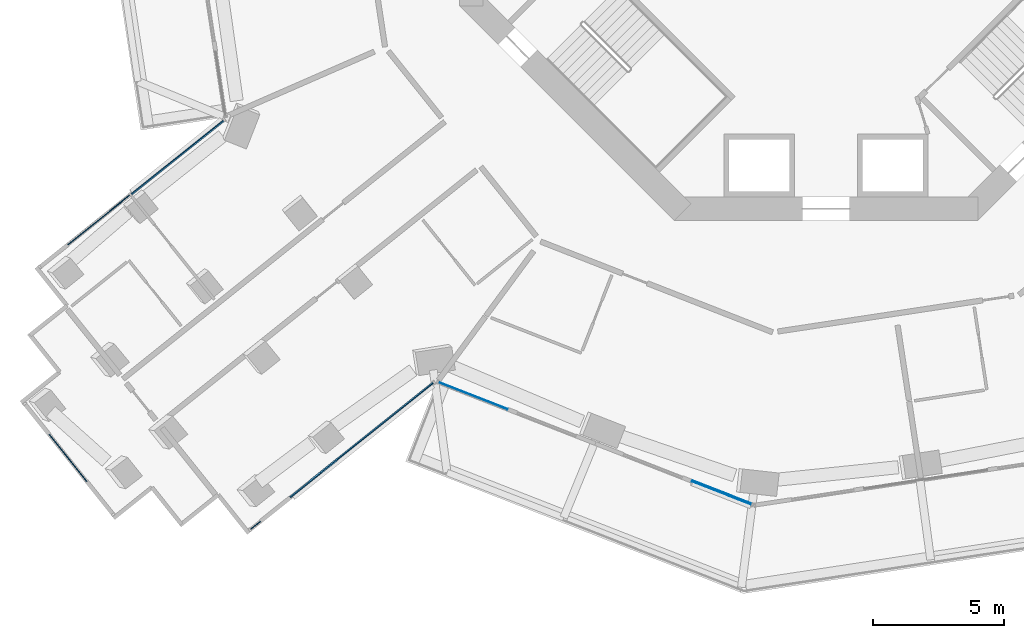
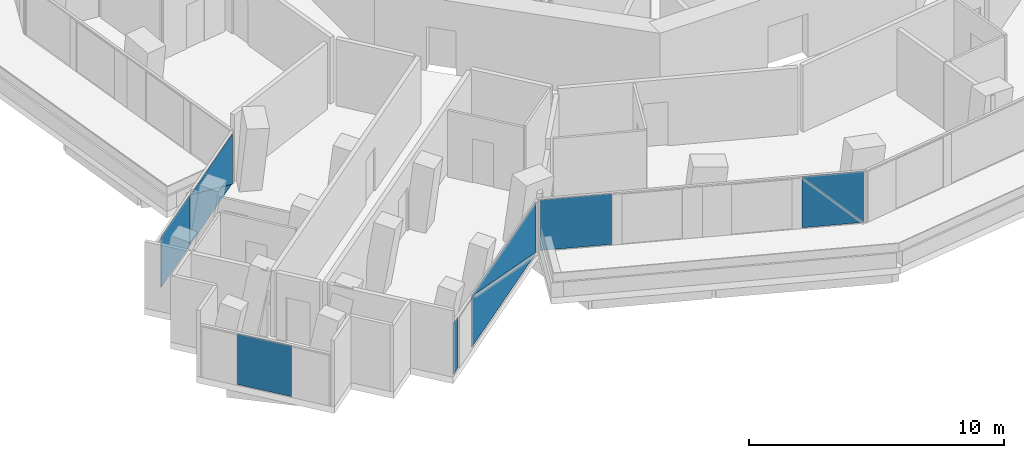
# One storey, part 13 of 28: 10 plates, 4 elements without a shape of their own.
"""IFC4 building model written with IfcOpenShell, lengths in metres."""

import ifcopenshell
import ifcopenshell.guid

model = None  # the IFC model being written
_history = None  # IfcOwnerHistory: only IFC2X3 demands one
_inside = {}  # id of a spatial element -> (the spatial element, [elements in it])
_under = {}  # id of a project, library or spatial element -> (it, [spatial elements below it])
_declared = {}  # id of a project -> (the project, [libraries it declares])
_typed = {}  # id of a type object -> (the type object, [elements of that type])
_made_of = {}  # id of a material, layer set ... -> (it, [elements and type objects made of it])


def new_model(schema):
    """Start an empty IFC model of exactly this schema.

    Asked for "IFC4X3", IfcOpenShell would pick the latest addendum, in which some entities
    have other attributes; the version numbers below select the first issue.
    IFC2X3 requires an IfcOwnerHistory on every rooted entity: one is made here for all.
    """
    global model, _history
    if schema == "IFC4X3":
        model = ifcopenshell.file(schema_version=(4, 3, 0, 0))
    else:
        model = ifcopenshell.file(schema=schema)
    _inside.clear()
    _under.clear()
    _declared.clear()
    _typed.clear()
    _made_of.clear()
    _history = None
    if model.schema == "IFC2X3":
        org = make("IfcOrganization", Name="unknown")
        user = make(
            "IfcPersonAndOrganization",
            ThePerson=make("IfcPerson", FamilyName="unknown"),
            TheOrganization=org,
        )
        app = make(
            "IfcApplication",
            ApplicationDeveloper=org,
            Version="unknown",
            ApplicationFullName="unknown",
            ApplicationIdentifier="unknown",
        )
        _history = make(
            "IfcOwnerHistory",
            OwningUser=user,
            OwningApplication=app,
            ChangeAction="ADDED",
            CreationDate=0,
        )
    return model


def make(cls, **values):
    """One entity of the class cls with the attributes given. An attribute that is None is left unset."""
    return model.create_entity(
        cls, **{name: value for name, value in values.items() if value is not None}
    )


def rooted(cls, **values):
    """An entity with a GlobalId (a new one), such as an element, a storey or a relation."""
    return make(cls, GlobalId=ifcopenshell.guid.new(), OwnerHistory=_history, **values)


def si_unit(unit_type, name, prefix=None):
    """IfcSIUnit, for example si_unit("LENGTHUNIT", "METRE", prefix="MILLI")."""
    return make("IfcSIUnit", UnitType=unit_type, Prefix=prefix, Name=name)


def assignment(units):
    """IfcUnitAssignment: the units of a project."""
    return None if units is None else make("IfcUnitAssignment", Units=units)


def point(xyz):
    """IfcCartesianPoint."""
    return None if xyz is None else make("IfcCartesianPoint", Coordinates=xyz)


def direction(xyz):
    """IfcDirection."""
    return None if xyz is None else make("IfcDirection", DirectionRatios=xyz)


def frame(location, z_axis=None, x_axis=None):
    """IfcAxis2Placement3D, a coordinate frame: its origin and axes. An axis left out is left unset."""
    return make(
        "IfcAxis2Placement3D",
        Location=point(location),
        Axis=direction(z_axis),
        RefDirection=direction(x_axis),
    )


def frame_2d(location, x_axis=None):
    """IfcAxis2Placement2D, a coordinate frame in the plane: its origin and x axis."""
    return make(
        "IfcAxis2Placement2D", Location=point(location), RefDirection=direction(x_axis)
    )


def origin():
    """The frame at (0, 0, 0) with its axes left unset."""
    return frame((0.0, 0.0, 0.0))


def origin_2d():
    """The frame at (0, 0) in the plane with its x axis left unset."""
    return frame_2d((0.0, 0.0))


def place(relative_to, where):
    """IfcLocalPlacement: puts the frame where relative to a parent placement (None: the world)."""
    return make(
        "IfcLocalPlacement", PlacementRelTo=relative_to, RelativePlacement=where
    )


def context(
    kind, dimensions, precision=None, world=None, true_north=None, identifier=None
):
    """IfcGeometricRepresentationContext, for example the 3D "Model" context."""
    return make(
        "IfcGeometricRepresentationContext",
        ContextIdentifier=identifier,
        ContextType=kind,
        CoordinateSpaceDimension=dimensions,
        Precision=precision,
        WorldCoordinateSystem=world,
        TrueNorth=true_north,
    )


def subcontext(parent, identifier, kind, view, scale=None):
    """IfcGeometricRepresentationSubContext, for example "Body" below "Model"."""
    return make(
        "IfcGeometricRepresentationSubContext",
        ContextIdentifier=identifier,
        ContextType=kind,
        ParentContext=parent,
        TargetScale=scale,
        TargetView=view,
    )


def project(units=None, contexts=None):
    """IfcProject with its units and contexts."""
    return rooted(
        "IfcProject",
        Name="project",
        RepresentationContexts=contexts,
        UnitsInContext=assignment(units),
    )


def spatial(cls, under=None, at=None, **own):
    """A site, building, storey or space (cls), placed at a placement, below another one or the project."""
    s = rooted(cls, ObjectPlacement=at, **own)
    if under is not None:
        _under.setdefault(under.id(), (under, []))[1].append(s)
    return s


def polyline(points):
    """IfcPolyline through the points."""
    return make("IfcPolyline", Points=[point(p) for p in points])


def profile(cls, at=None, kind="AREA", **sizes):
    """A parametric profile (cls). Its sizes go by their IFC names, for example OverallWidth=200.0."""
    return make(cls, ProfileType=kind, Position=at, **sizes)


def rectangle(**sizes):
    """IfcRectangleProfileDef."""
    return profile("IfcRectangleProfileDef", **sizes)


def outline(outer, holes=None, kind="AREA"):
    """IfcArbitraryClosedProfileDef: a profile drawn as a closed curve; with holes, ...WithVoids."""
    if holes is None:
        return make("IfcArbitraryClosedProfileDef", ProfileType=kind, OuterCurve=outer)
    return make(
        "IfcArbitraryProfileDefWithVoids",
        ProfileType=kind,
        OuterCurve=outer,
        InnerCurves=holes,
    )


def extrude(swept, where, along, depth):
    """IfcExtrudedAreaSolid: the profile swept, set in the frame where, extruded along a direction by depth."""
    return make(
        "IfcExtrudedAreaSolid",
        SweptArea=swept,
        Position=where,
        ExtrudedDirection=direction(along),
        Depth=depth,
    )


def shape(context_of_items, identifier, shape_type, items):
    """IfcShapeRepresentation: the items that make up one representation, for example the "Body"."""
    return make(
        "IfcShapeRepresentation",
        ContextOfItems=context_of_items,
        RepresentationIdentifier=identifier,
        RepresentationType=shape_type,
        Items=items,
    )


def material(Name=None, Category=None):
    """IfcMaterial."""
    return make("IfcMaterial", Name=Name, Category=Category)


def layer(
    of_material, thickness, ventilated=None, Name=None, Category=None, Priority=None
):
    """IfcMaterialLayer: one layer of a wall or slab, of a material (None: an air gap)."""
    return make(
        "IfcMaterialLayer",
        Material=of_material,
        LayerThickness=thickness,
        IsVentilated=ventilated,
        Name=Name,
        Category=Category,
        Priority=Priority,
    )


def layer_set(layers, Name=None):
    """IfcMaterialLayerSet."""
    return make("IfcMaterialLayerSet", MaterialLayers=layers, LayerSetName=Name)


def made_of(thing, what):
    """Note that an element or type object is made of a material, layer set ...; save() writes the relation."""
    if what is not None:
        _made_of.setdefault(what.id(), (what, []))[1].append(thing)
    return thing


def type_object(cls, material=None, **own):
    """A type object (cls), such as IfcWallType, which elements share."""
    return made_of(rooted(cls, **own), material)


def element(
    cls,
    number,
    at=None,
    inside=None,
    cuts=None,
    type_object=None,
    material=None,
    context=None,
    identifier="Body",
    shape_type=None,
    held_by="IfcProductDefinitionShape",
    body=None,
    shapes=None,
    **own,
):
    """One element of the class cls, such as IfcWall. Its Tag is "e" and its number.

    at: its placement. inside: the storey or other place that contains it. cuts: it is an
    opening in that element (IfcRelVoidsElement). A single representation is given by context,
    identifier, shape_type and body (its items); several are given by shapes. held_by: the class
    of the entity that holds the representations. save() writes the other relations.
    """
    e = rooted(cls, Tag="e%d" % number, ObjectPlacement=at, **own)
    if body is not None:
        shapes = [shape(context, identifier, shape_type, body)]
    if shapes is not None:
        e.Representation = make(held_by, Representations=shapes)
    if inside is not None:
        _inside.setdefault(inside.id(), (inside, []))[1].append(e)
    if cuts is not None:
        rooted(
            "IfcRelVoidsElement", RelatingBuildingElement=cuts, RelatedOpeningElement=e
        )
    if type_object is not None:
        _typed.setdefault(type_object.id(), (type_object, []))[1].append(e)
    return made_of(e, material)


def aggregate(whole, parts):
    """IfcRelAggregates: a whole, such as a stair, and the parts it consists of."""
    return rooted("IfcRelAggregates", RelatingObject=whole, RelatedObjects=parts)


def save(model, path):
    """Write the relations noted so far, then the file.

    IfcRelAggregates (storeys below a building ...), IfcRelContainedInSpatialStructure (elements
    in a storey), IfcRelDefinesByType, IfcRelAssociatesMaterial and IfcRelDeclares: one each for
    every whole, place, type object, material and project.
    """
    for whole, parts in _under.values():
        aggregate(whole, parts)
    for where, things in _inside.values():
        rooted(
            "IfcRelContainedInSpatialStructure",
            RelatedElements=things,
            RelatingStructure=where,
        )
    for kind, things in _typed.values():
        rooted("IfcRelDefinesByType", RelatedObjects=things, RelatingType=kind)
    for what, things in _made_of.values():
        rooted("IfcRelAssociatesMaterial", RelatedObjects=things, RelatingMaterial=what)
    for by, libraries in _declared.values():
        rooted("IfcRelDeclares", RelatingContext=by, RelatedDefinitions=libraries)
    model.write(path)


model = new_model("IFC4")

# Units and contexts
model_context = context("Model", 3, precision=1e-05, world=origin(), true_north=direction((0.0, 1.0)))
body_context = subcontext(model_context, "Body", "Model", "MODEL_VIEW")
ifc_project = project(units=[si_unit("LENGTHUNIT", "METRE"), si_unit("AREAUNIT", "SQUARE_METRE"), si_unit("VOLUMEUNIT", "CUBIC_METRE"), si_unit("PLANEANGLEUNIT", "RADIAN"), si_unit("MASSUNIT", "GRAM", prefix="KILO")], contexts=[model_context])

# Site, building, storey
site_placement = place(None, origin())
site = spatial("IfcSite", under=ifc_project, at=site_placement, CompositionType="ELEMENT")
building_placement = place(site_placement, origin())
building = spatial("IfcBuilding", under=site, at=building_placement, Name="Verdalira Terraces Hotel", CompositionType="ELEMENT")
storey_placement = place(building_placement, frame((0.0, 0.0, 68.0)))
storey = spatial("IfcBuildingStorey", under=building, at=storey_placement, Name="L15", CompositionType="ELEMENT", Elevation=68.0)

# Curtain wall, plates
ifc_material_1 = material(Name="Clear glass", Category="glass")
ifc_layer_1 = layer(ifc_material_1, 0.14990234375)
ifc_layer_set_1 = layer_set([ifc_layer_1], Name="CW1 curtain wall")
curtain_wall_type_1 = type_object("IfcCurtainWallType", Name="CW1 curtain wall", PredefinedType="NOTDEFINED", material=ifc_layer_set_1)
curtain_wall_1_placement = place(storey_placement, origin())
curtain_wall_1 = element("IfcCurtainWall", 1, at=curtain_wall_1_placement, inside=storey, type_object=curtain_wall_type_1, Name="CW1 curtain wall L15 edge 25", PredefinedType="NOTDEFINED")
ifc_material_2 = material(Name="Clear glass", Category="glass")
ifc_layer_2 = layer(ifc_material_2, 0.028076171875)
ifc_layer_set_2 = layer_set([ifc_layer_2], Name="CW1 glass unit 28")
plate_type_1 = type_object("IfcPlateType", Name="CW1 glass unit 28", PredefinedType="CURTAIN_PANEL", material=ifc_layer_set_2)
plate_1_placement = place(storey_placement, frame((-13.483398, -20.693848, 0.0), z_axis=(0.0, 0.0, 1.0), x_axis=(0.931310321, -0.364226696, 0.0)))
plate_1 = element("IfcPlate", 2, at=plate_1_placement, type_object=plate_type_1, Name="CW1 glass unit", PredefinedType="CURTAIN_PANEL", context=body_context, shape_type="SweptSolid", body=[
    extrude(rectangle(XDim=2.840088, YDim=0.028076, at=origin_2d()), origin(), (0.0, 0.0, 1.0), 2.425049),
])
plate_2_placement = place(storey_placement, frame((-3.97876, -24.395752, 1.212402), z_axis=(-0.364226696, -0.931310321, 0.0), x_axis=(0.931310321, -0.364226696, 0.0)))
plate_2 = element("IfcPlate", 3, at=plate_2_placement, type_object=plate_type_1, Name="CW1 glass unit", PredefinedType="CURTAIN_PANEL", context=body_context, shape_type="SweptSolid", body=[
    extrude(outline(polyline([(-1.219727, -1.212402), (1.219727, -1.212402), (-1.219727, 1.212402), (-1.219727, -1.212402)])), origin(), (0.0, 0.0, 1.0), 0.028076),
])
plate_3_placement = place(storey_placement, frame((-3.968262, -24.368896, 1.212402), z_axis=(-0.364226696, -0.931310321, 0.0), x_axis=(0.931310321, -0.364226696, 0.0)))
plate_3 = element("IfcPlate", 4, at=plate_3_placement, type_object=plate_type_1, Name="CW1 glass unit", PredefinedType="CURTAIN_PANEL", context=body_context, shape_type="SweptSolid", body=[
    extrude(outline(polyline([(1.219727, -1.212402), (1.219727, 1.212402), (-1.219727, 1.212402), (1.219727, -1.212402)])), origin(), (0.0, 0.0, 1.0), 0.028076),
])
aggregate(curtain_wall_1, [plate_1, plate_2, plate_3])

ifc_material_3 = material(Name="Clear glass", Category="glass")
ifc_layer_3 = layer(ifc_material_3, 0.14990234375)
ifc_layer_set_3 = layer_set([ifc_layer_3], Name="CW2 curtain wall")
curtain_wall_type_2 = type_object("IfcCurtainWallType", Name="CW2 curtain wall", PredefinedType="NOTDEFINED", material=ifc_layer_set_3)
curtain_wall_2_placement = place(storey_placement, origin())
curtain_wall_2 = element("IfcCurtainWall", 5, at=curtain_wall_2_placement, inside=storey, type_object=curtain_wall_type_2, Name="CW2 curtain wall L15 edge 14", PredefinedType="NOTDEFINED")
ifc_material_4 = material(Name="Clear glass", Category="glass")
ifc_layer_4 = layer(ifc_material_4, 0.031982421875)
ifc_layer_set_4 = layer_set([ifc_layer_4], Name="CW2 glass unit 32")
plate_type_2 = type_object("IfcPlateType", Name="CW2 glass unit 32", PredefinedType="CURTAIN_PANEL", material=ifc_layer_set_4)
plate_4_placement = place(storey_placement, frame((-24.767334, -11.594482, 1.212402), z_axis=(-0.624425049, 0.781084732, 0.0), x_axis=(-0.781084732, -0.624425049, 0.0)))
plate_4 = element("IfcPlate", 6, at=plate_4_placement, type_object=plate_type_2, Name="CW2 glass unit", PredefinedType="CURTAIN_PANEL", context=body_context, shape_type="SweptSolid", body=[
    extrude(outline(polyline([(-2.256836, -1.212402), (2.256836, -1.212402), (2.256836, 1.212402), (-2.256836, -1.212402)])), origin(), (0.0, 0.0, 1.0), 0.031982),
])
plate_5_placement = place(storey_placement, frame((-24.746826, -11.620361, 1.212402), z_axis=(-0.624425049, 0.781084732, 0.0), x_axis=(-0.781084732, -0.624425049, 0.0)))
plate_5 = element("IfcPlate", 7, at=plate_5_placement, type_object=plate_type_2, Name="CW2 glass unit", PredefinedType="CURTAIN_PANEL", context=body_context, shape_type="SweptSolid", body=[
    extrude(outline(polyline([(-2.256836, -1.212402), (2.256836, 1.212402), (-2.256836, 1.212402), (-2.256836, -1.212402)])), origin(), (0.0, 0.0, 1.0), 0.031982),
])
plate_6_placement = place(storey_placement, frame((-27.776855, -13.97998, 0.0), z_axis=(0.0, 0.0, 1.0), x_axis=(-0.781084732, -0.624425049, 0.0)))
plate_6 = element("IfcPlate", 8, at=plate_6_placement, type_object=plate_type_2, Name="CW2 glass unit", PredefinedType="CURTAIN_PANEL", context=body_context, shape_type="SweptSolid", body=[
    extrude(rectangle(XDim=3.026367, YDim=0.031982, at=origin_2d()), origin(), (0.0, 0.0, 1.0), 2.425049),
])
aggregate(curtain_wall_2, [plate_4, plate_5, plate_6])

curtain_wall_3_placement = place(storey_placement, origin())
curtain_wall_3 = element("IfcCurtainWall", 9, at=curtain_wall_3_placement, inside=storey, type_object=curtain_wall_type_2, Name="CW2 curtain wall L15 edge 24", PredefinedType="NOTDEFINED")
plate_7_placement = place(storey_placement, frame((-21.792236, -25.647217, 0.0), z_axis=(0.0, 0.0, 1.0), x_axis=(0.781084732, 0.624425049, 0.0)))
plate_7 = element("IfcPlate", 10, at=plate_7_placement, type_object=plate_type_2, Name="CW2 glass unit", PredefinedType="CURTAIN_PANEL", context=body_context, shape_type="SweptSolid", body=[
    extrude(rectangle(XDim=0.47998, YDim=0.031982, at=origin_2d()), origin(), (0.0, 0.0, 1.0), 2.425049),
])
plate_8_placement = place(storey_placement, frame((-17.735107, -22.383301, 1.212402), z_axis=(0.624425049, -0.781084732, 0.0), x_axis=(0.781084732, 0.624425049, 0.0)))
plate_8 = element("IfcPlate", 11, at=plate_8_placement, type_object=plate_type_2, Name="CW2 glass unit", PredefinedType="CURTAIN_PANEL", context=body_context, shape_type="SweptSolid", body=[
    extrude(outline(polyline([(-3.500977, -1.212402), (3.500977, -1.212402), (-3.500977, 1.212402), (-3.500977, -1.212402)])), origin(), (0.0, 0.0, 1.0), 0.031982),
])
plate_9_placement = place(storey_placement, frame((-17.755615, -22.357422, 1.212402), z_axis=(0.624425049, -0.781084732, 0.0), x_axis=(0.781084732, 0.624425049, 0.0)))
plate_9 = element("IfcPlate", 12, at=plate_9_placement, type_object=plate_type_2, Name="CW2 glass unit", PredefinedType="CURTAIN_PANEL", context=body_context, shape_type="SweptSolid", body=[
    extrude(outline(polyline([(3.500977, -1.212402), (3.500977, 1.212402), (-3.500977, 1.212402), (3.500977, -1.212402)])), origin(), (0.0, 0.0, 1.0), 0.031982),
])
aggregate(curtain_wall_3, [plate_7, plate_8, plate_9])

# Curtain wall, plate
ifc_material_5 = material(Name="Clear glass", Category="glass")
ifc_layer_5 = layer(ifc_material_5, 0.14990234375)
ifc_layer_set_5 = layer_set([ifc_layer_5], Name="CW3 curtain wall")
curtain_wall_type_3 = type_object("IfcCurtainWallType", Name="CW3 curtain wall", PredefinedType="NOTDEFINED", material=ifc_layer_set_5)
curtain_wall_4_placement = place(storey_placement, origin())
curtain_wall_4 = element("IfcCurtainWall", 13, at=curtain_wall_4_placement, inside=storey, type_object=curtain_wall_type_3, Name="CW3 curtain wall L15 edge 19", PredefinedType="NOTDEFINED")
ifc_material_6 = material(Name="Clear glass", Category="glass")
ifc_layer_6 = layer(ifc_material_6, 0.035888671875)
ifc_layer_set_6 = layer_set([ifc_layer_6], Name="CW3 glass unit 36")
plate_type_3 = type_object("IfcPlateType", Name="CW3 glass unit 36", PredefinedType="CURTAIN_PANEL", material=ifc_layer_set_6)
plate_10_placement = place(storey_placement, frame((-28.950928, -23.074219, 0.0), z_axis=(0.0, 0.0, 1.0), x_axis=(0.624425049, -0.781084732, 0.0)))
plate_10 = element("IfcPlate", 14, at=plate_10_placement, type_object=plate_type_3, Name="CW3 glass unit", PredefinedType="CURTAIN_PANEL", context=body_context, shape_type="SweptSolid", body=[
    extrude(rectangle(XDim=2.289551, YDim=0.035889, at=origin_2d()), origin(), (0.0, 0.0, 1.0), 2.425049),
])
aggregate(curtain_wall_4, [plate_10])

save(model, "model.ifc")
